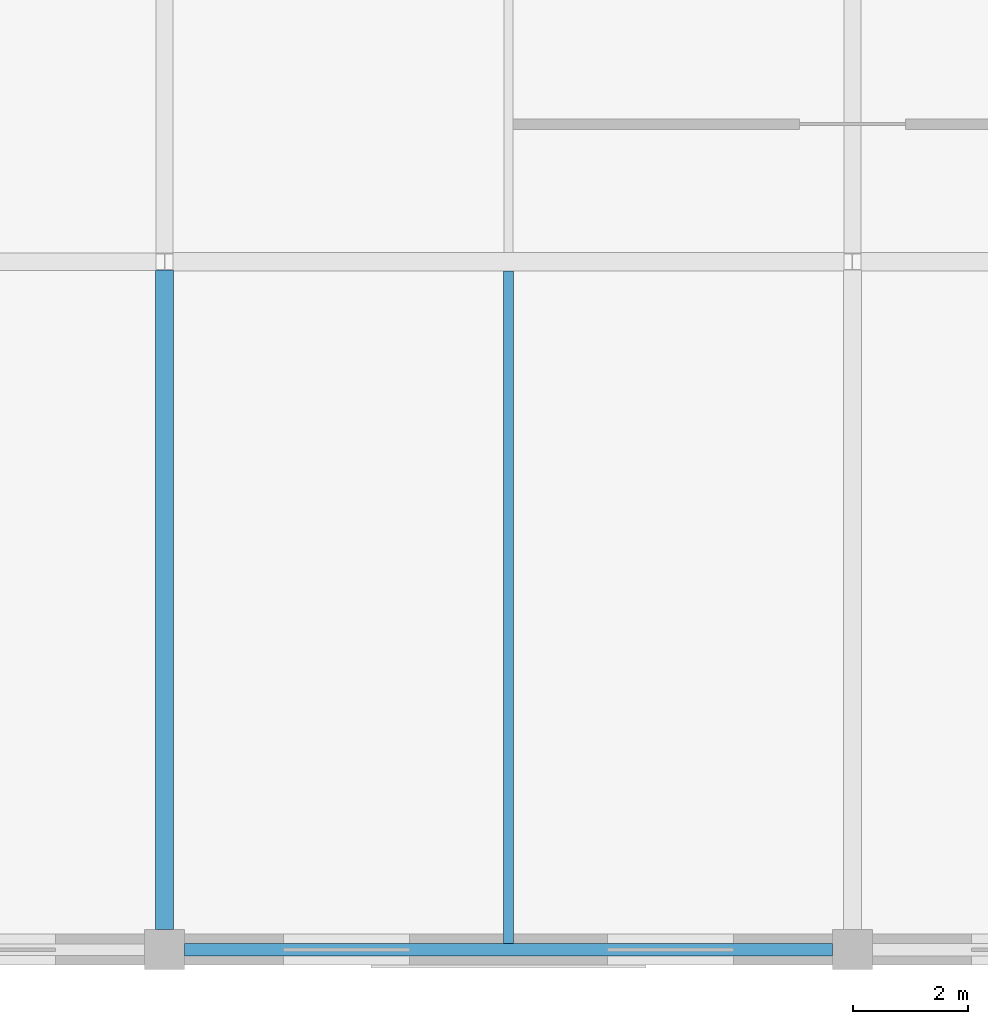
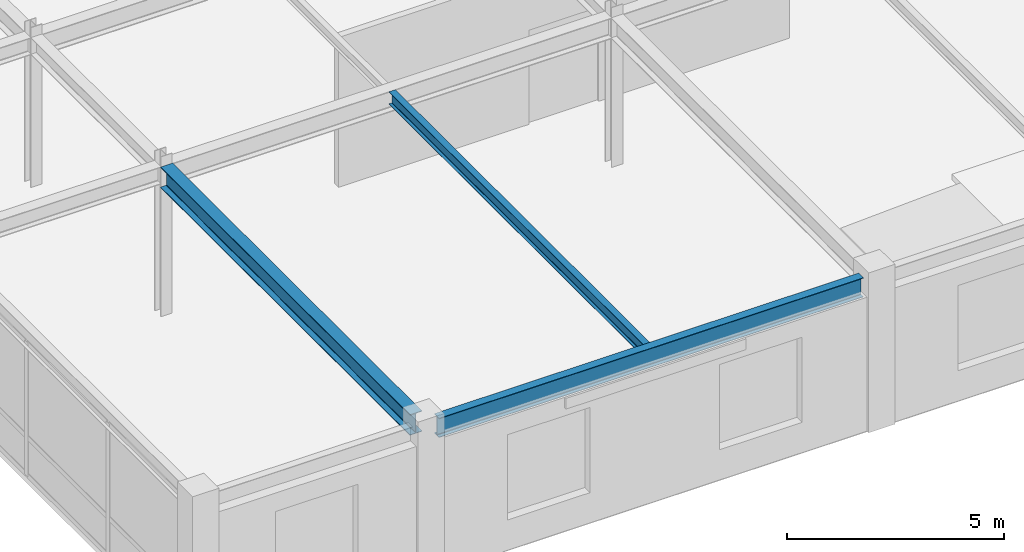
# One storey, part 57 of 108: 3 beams.
"""IFC4 building model written with IfcOpenShell, lengths in metres."""

from ifc_helpers import new_model, si_unit, direction, frame, origin, origin_2d, place, context, subcontext, project, spatial, i_section, extrude, material, material_profile, profile_set, type_object, element, save


model = new_model("IFC4")

# Units and contexts
model_context = context("Model", 3, precision=1e-05, world=origin(), true_north=direction((0.0, 1.0)))
body_context = subcontext(model_context, "Body", "Model", "MODEL_VIEW")
ifc_project = project(units=[si_unit("LENGTHUNIT", "METRE"), si_unit("AREAUNIT", "SQUARE_METRE"), si_unit("VOLUMEUNIT", "CUBIC_METRE"), si_unit("PLANEANGLEUNIT", "RADIAN"), si_unit("MASSUNIT", "GRAM", prefix="KILO")], contexts=[model_context])

# Site, building, storey
site_placement = place(None, origin())
site = spatial("IfcSite", under=ifc_project, at=site_placement, CompositionType="ELEMENT")
building_placement = place(site_placement, origin())
building = spatial("IfcBuilding", under=site, at=building_placement, Name="Zlatovratsky Civic Hall", CompositionType="ELEMENT")
storey_placement = place(building_placement, frame((0.0, 0.0, 12.0)))
storey = spatial("IfcBuildingStorey", under=building, at=storey_placement, Name="L03", CompositionType="ELEMENT", Elevation=12.0)

# Beams
ifc_material = material(Name="Steel S355", Category="steel")
ifc_material_profile_1 = material_profile(ifc_material, i_section(OverallWidth=0.320068359375, OverallDepth=0.58203125, WebThickness=0.011962890625, FlangeThickness=0.01708984375, FilletRadius=0.02392578125, at=origin_2d()), Name="60Sh1")
ifc_profile_set_1 = profile_set([ifc_material_profile_1], Name="Steel S355")
beam_type_1 = type_object("IfcBeamType", Name="Beam_PodiumGirder_60Sh1", PredefinedType="BEAM", material=ifc_profile_set_1)
beam_1_placement = place(storey_placement, frame((120.0, 0.35009765625, 3.928955078125), z_axis=(0.0, 1.0, 0.0), x_axis=(-1.0, 0.0, 0.0)))
element("IfcBeam", 1, at=beam_1_placement, inside=storey, type_object=beam_type_1, Name="BM-3030", PredefinedType="BEAM", context=body_context, shape_type="SweptSolid", body=[
    extrude(i_section(OverallWidth=0.320068359375, OverallDepth=0.58203125, WebThickness=0.011962890625, FlangeThickness=0.01708984375, FilletRadius=0.02392578125, at=origin_2d()), origin(), (0.0, 0.0, 1.0), 11.501953125),
])
ifc_material_profile_2 = material_profile(ifc_material, i_section(OverallWidth=0.219970703125, OverallDepth=0.54296875, WebThickness=0.009521484375, FlangeThickness=0.013427734375, FilletRadius=0.01806640625, at=origin_2d()), Name="55B1")
ifc_profile_set_2 = profile_set([ifc_material_profile_2], Name="Steel S355")
beam_type_2 = type_object("IfcBeamType", Name="Beam_Spandrel_55B1", PredefinedType="SPANDREL", material=ifc_profile_set_2)
beam_2_placement = place(storey_placement, frame((120.35009765625, 0.0, 3.948486328125), z_axis=(1.0, 0.0, 0.0), x_axis=(0.0, 1.0, 0.0)))
element("IfcBeam", 2, at=beam_2_placement, inside=storey, type_object=beam_type_2, Name="BM-2476", PredefinedType="SPANDREL", context=body_context, shape_type="SweptSolid", body=[
    extrude(i_section(OverallWidth=0.219970703125, OverallDepth=0.54296875, WebThickness=0.009521484375, FlangeThickness=0.013427734375, FilletRadius=0.01806640625, at=origin_2d()), origin(), (0.0, 0.0, 1.0), 11.2998046875),
])
ifc_material_profile_3 = material_profile(ifc_material, i_section(OverallWidth=0.175048828125, OverallDepth=0.35009765625, WebThickness=0.007080078125, FlangeThickness=0.010986328125, FilletRadius=0.013916015625, at=origin_2d()), Name="35B2")
ifc_profile_set_3 = profile_set([ifc_material_profile_3], Name="Steel S355")
beam_type_3 = type_object("IfcBeamType", Name="Joist_Heavy_35B2", PredefinedType="JOIST", material=ifc_profile_set_3)
beam_3_placement = place(storey_placement, frame((126.0, 0.110107421875, 4.044921875), z_axis=(0.0, 1.0, 0.0), x_axis=(-1.0, 0.0, 0.0)))
element("IfcBeam", 3, at=beam_3_placement, inside=storey, type_object=beam_type_3, Name="BM-3123", PredefinedType="JOIST", context=body_context, shape_type="SweptSolid", body=[
    extrude(i_section(OverallWidth=0.175048828125, OverallDepth=0.35009765625, WebThickness=0.007080078125, FlangeThickness=0.010986328125, FilletRadius=0.013916015625, at=origin_2d()), origin(), (0.0, 0.0, 1.0), 11.72998046875),
])

save(model, "model.ifc")
